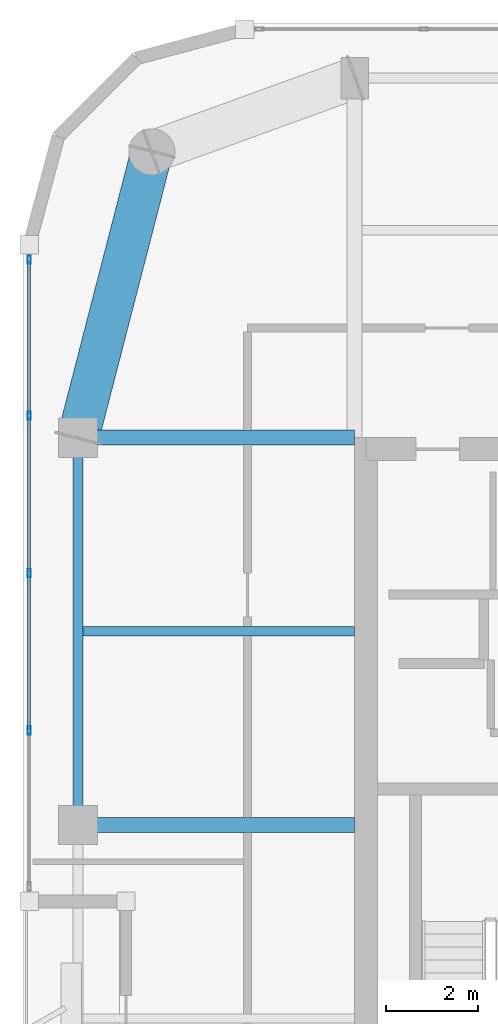
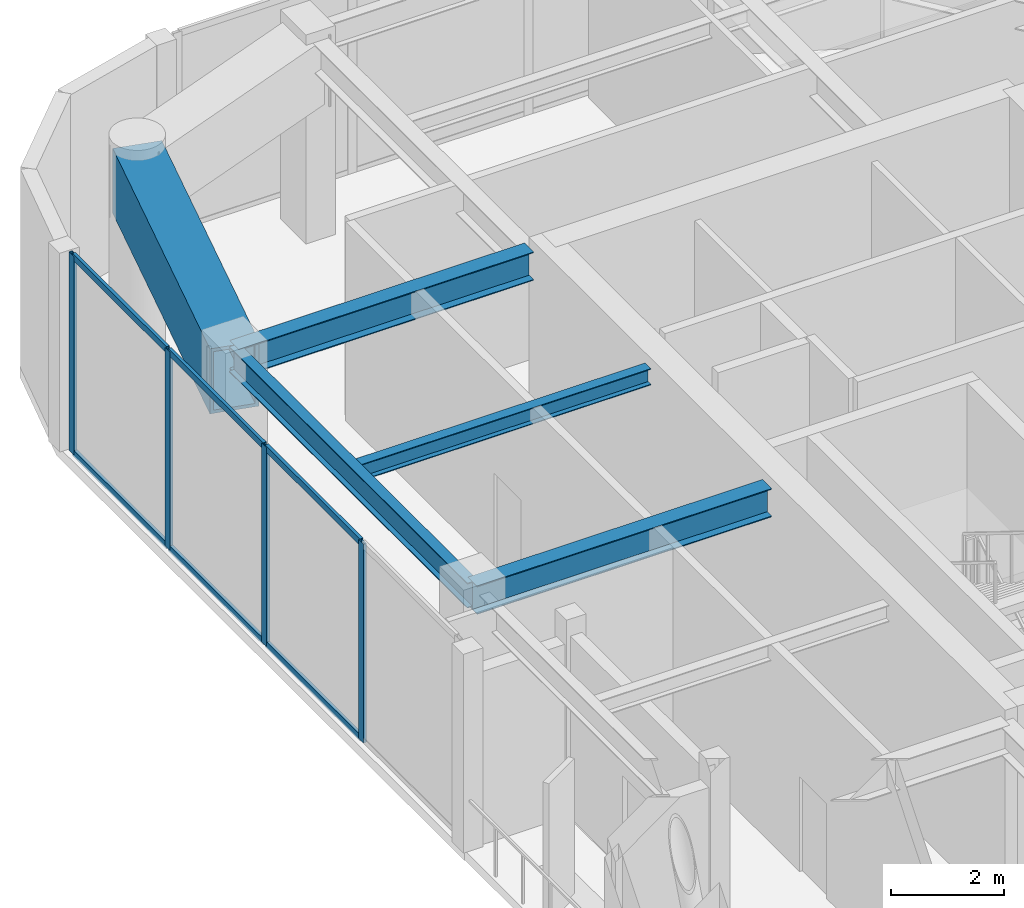
# One storey, part 4 of 16: 10 members, 5 beams, 1 element without a shape of its own.
"""IFC4 building model written with IfcOpenShell, lengths in metres."""

from ifc_helpers import new_model, si_unit, direction, frame, origin, origin_2d, place, context, subcontext, project, spatial, hollow_rectangle, i_section, extrude, material, layer, layer_set, material_profile, profile_set, type_object, element, aggregate, save


model = new_model("IFC4")

# Units and contexts
model_context = context("Model", 3, precision=1e-05, world=origin(), true_north=direction((0.0, 1.0)))
body_context = subcontext(model_context, "Body", "Model", "MODEL_VIEW")
ifc_project = project(units=[si_unit("LENGTHUNIT", "METRE"), si_unit("AREAUNIT", "SQUARE_METRE"), si_unit("VOLUMEUNIT", "CUBIC_METRE"), si_unit("PLANEANGLEUNIT", "RADIAN"), si_unit("MASSUNIT", "GRAM", prefix="KILO")], contexts=[model_context])

# Site, building, storey
site_placement = place(None, origin())
site = spatial("IfcSite", under=ifc_project, at=site_placement, CompositionType="ELEMENT")
building_placement = place(site_placement, origin())
building = spatial("IfcBuilding", under=site, at=building_placement, Name="Kiyonajd Concourse Tower", CompositionType="ELEMENT")
storey_placement = place(building_placement, frame((0.0, 0.0, 337.5)))
storey = spatial("IfcBuildingStorey", under=building, at=storey_placement, Name="L85", CompositionType="ELEMENT", Elevation=337.5)

# Beams
ifc_material_1 = material(Name="Steel ASTM A992 Grade 50", Category="steel")
ifc_material_profile_1 = material_profile(ifc_material_1, i_section(OverallWidth=0.205078125, OverallDepth=0.35400390625, WebThickness=0.009521484375, FlangeThickness=0.016845703125, at=origin_2d()), Name="W360X79")
ifc_profile_set_1 = profile_set([ifc_material_profile_1], Name="Steel ASTM A992 Grade 50")
beam_type_1 = type_object("IfcBeamType", Name="BM-JST-360", PredefinedType="JOIST", material=ifc_profile_set_1)
beam_1_placement = place(storey_placement, frame((26.505615234375, 40.199951171875, 4.10302734375), z_axis=(1.0, 0.0, 0.0), x_axis=(0.0, 1.0, 0.0)))
element("IfcBeam", 1, at=beam_1_placement, inside=storey, type_object=beam_type_1, Name="L85 West Secondary Floor Joist", PredefinedType="JOIST", context=body_context, shape_type="SweptSolid", body=[
    extrude(i_section(OverallWidth=0.205078125, OverallDepth=0.35400390625, WebThickness=0.009521484375, FlangeThickness=0.016845703125, at=origin_2d()), origin(), (0.0, 0.0, 1.0), 5.894287109375),
])
ifc_material_profile_2 = material_profile(ifc_material_1, i_section(OverallWidth=0.2109375, OverallDepth=0.5390625, WebThickness=0.01171875, FlangeThickness=0.018798828125, at=origin_2d()), Name="W530X109")
ifc_profile_set_2 = profile_set([ifc_material_profile_2], Name="Steel ASTM A992 Grade 50")
beam_type_2 = type_object("IfcBeamType", Name="BM-SPAN-530B", PredefinedType="SPANDREL", material=ifc_profile_set_2)
beam_2_placement = place(storey_placement, frame((26.39990234375, 44.39990234375, 4.010498046875), z_axis=(0.0, -1.0, 0.0), x_axis=(1.0, 0.0, 0.0)))
element("IfcBeam", 2, at=beam_2_placement, inside=storey, type_object=beam_type_2, Name="L85 Perimeter Bundled Tube Spandrel", PredefinedType="SPANDREL", context=body_context, shape_type="SweptSolid", body=[
    extrude(i_section(OverallWidth=0.2109375, OverallDepth=0.5390625, WebThickness=0.01171875, FlangeThickness=0.018798828125, at=origin_2d()), origin(), (0.0, 0.0, 1.0), 8.39990234375),
])
ifc_material_profile_3 = material_profile(ifc_material_1, i_section(OverallWidth=0.323974609375, OverallDepth=0.611083984375, WebThickness=0.0126953125, FlangeThickness=0.01904296875, at=origin_2d()), Name="W610X155")
ifc_profile_set_3 = profile_set([ifc_material_profile_3], Name="Steel ASTM A992 Grade 50")
beam_type_3 = type_object("IfcBeamType", Name="BM-TWR-610B", PredefinedType="BEAM", material=ifc_profile_set_3)
for number, where, z_axis, x_axis, name in (
    (3, (26.39990234375, 36.0, 3.974609375), (1.0, 0.0, 0.0), (0.0, 1.0, 0.0), "L85 West Lease Girder"),
    (4, (26.39990234375, 44.39990234375, 3.974609375), (1.0, 0.0, 0.0), (0.0, 1.0, 0.0), "L85 West Lease Girder"),
):
    element("IfcBeam", number, at=place(storey_placement, frame(where, z_axis=z_axis, x_axis=x_axis)), inside=storey, type_object=beam_type_3, Name=name, PredefinedType="BEAM", context=body_context, shape_type="SweptSolid", body=[
        extrude(i_section(OverallWidth=0.323974609375, OverallDepth=0.611083984375, WebThickness=0.0126953125, FlangeThickness=0.01904296875, at=origin_2d()), origin(), (0.0, 0.0, 1.0), 6.0),
    ])
ifc_material_2 = material(Name="Steel ASTM A572 Grade 50", Category="steel")
ifc_material_profile_4 = material_profile(ifc_material_2, hollow_rectangle(XDim=0.89990234375, YDim=1.39990234375, WallThickness=0.070068359375, at=origin_2d()), Name="BOX-1400x900x70")
ifc_profile_set_4 = profile_set([ifc_material_profile_4], Name="Steel ASTM A572 Grade 50")
beam_type_4 = type_object("IfcBeamType", Name="BM-XFER-1400", PredefinedType="BEAM", material=ifc_profile_set_4)
beam_3_placement = place(storey_placement, frame((28.0, 50.60009765625, 3.580078125), z_axis=(-0.249884937687, -0.968275538221, 0.0), x_axis=(0.968275538221, -0.249884937687, 0.0)))
element("IfcBeam", 5, at=beam_3_placement, inside=storey, type_object=beam_type_4, Name="L85 Perimeter Bundled Tube Spandrel", PredefinedType="BEAM", context=body_context, shape_type="SweptSolid", body=[
    extrude(hollow_rectangle(XDim=0.89990234375, YDim=1.39990234375, WallThickness=0.070068359375, at=origin_2d()), origin(), (0.0, 0.0, 1.0), 6.4033203125),
])

# Curtain wall, members
ifc_material_3 = material(Name="Thermally Broken Anodised Aluminium", Category="aluminium")
ifc_layer = layer(ifc_material_3, 0.179931640625)
ifc_layer_set = layer_set([ifc_layer], Name="Thermally Broken Anodised Aluminium")
curtain_wall_type = type_object("IfcCurtainWallType", Name="CW-SYS-04", PredefinedType="NOTDEFINED", material=ifc_layer_set)
curtain_wall_placement = place(storey_placement, origin())
curtain_wall = element("IfcCurtainWall", 6, at=curtain_wall_placement, inside=storey, type_object=curtain_wall_type, Name="L85 Unitised Curtain Wall CW4", PredefinedType="NOTDEFINED")
ifc_material_profile_5 = material_profile(ifc_material_3, hollow_rectangle(XDim=0.06494140625, YDim=0.179931640625, WallThickness=0.00390625, at=origin_2d()), Name="MULL-65x180")
ifc_profile_set_5 = profile_set([ifc_material_profile_5], Name="Thermally Broken Anodised Aluminium")
member_type_1 = type_object("IfcMemberType", Name="MB-CW-MULL1", PredefinedType="MULLION", material=ifc_profile_set_5)
member_1_placement = place(storey_placement, frame((25.340087890625, 38.04541015625, 0.0), z_axis=(0.0, 0.0, 1.0), x_axis=(-1.0, 0.0, 0.0)))
member_1 = element("IfcMember", 7, at=member_1_placement, type_object=member_type_1, Name="CW4 mullion 2", PredefinedType="MULLION", context=body_context, shape_type="SweptSolid", body=[
    extrude(hollow_rectangle(XDim=0.06494140625, YDim=0.179931640625, WallThickness=0.00390625, at=origin_2d()), origin(), (0.0, 0.0, 1.0), 4.280029296875),
])
member_2_placement = place(storey_placement, frame((25.340087890625, 41.460693359375, 0.0), z_axis=(0.0, 0.0, 1.0), x_axis=(-1.0, 0.0, 0.0)))
member_2 = element("IfcMember", 8, at=member_2_placement, type_object=member_type_1, Name="CW4 mullion 3", PredefinedType="MULLION", context=body_context, shape_type="SweptSolid", body=[
    extrude(hollow_rectangle(XDim=0.06494140625, YDim=0.179931640625, WallThickness=0.00390625, at=origin_2d()), origin(), (0.0, 0.0, 1.0), 4.280029296875),
])
member_3_placement = place(storey_placement, frame((25.340087890625, 44.876220703125, 0.0), z_axis=(0.0, 0.0, 1.0), x_axis=(-1.0, 0.0, 0.0)))
member_3 = element("IfcMember", 9, at=member_3_placement, type_object=member_type_1, Name="CW4 mullion 4", PredefinedType="MULLION", context=body_context, shape_type="SweptSolid", body=[
    extrude(hollow_rectangle(XDim=0.06494140625, YDim=0.179931640625, WallThickness=0.00390625, at=origin_2d()), origin(), (0.0, 0.0, 1.0), 4.280029296875),
])
member_4_placement = place(storey_placement, frame((25.340087890625, 48.259033203125, 0.0), z_axis=(0.0, 0.0, 1.0), x_axis=(-1.0, 0.0, 0.0)))
member_4 = element("IfcMember", 10, at=member_4_placement, type_object=member_type_1, Name="CW4 mullion 5", PredefinedType="MULLION", context=body_context, shape_type="SweptSolid", body=[
    extrude(hollow_rectangle(XDim=0.06494140625, YDim=0.179931640625, WallThickness=0.00390625, at=origin_2d()), origin(), (0.0, 0.0, 1.0), 4.280029296875),
])
ifc_material_profile_6 = material_profile(ifc_material_3, hollow_rectangle(XDim=0.06494140625, YDim=0.139892578125, WallThickness=0.00390625, at=origin_2d()), Name="TRAN-65x140")
ifc_profile_set_6 = profile_set([ifc_material_profile_6], Name="Thermally Broken Anodised Aluminium")
member_type_2 = type_object("IfcMemberType", Name="MB-CW-TRAN1", PredefinedType="USERDEFINED", material=ifc_profile_set_6)
member_5_placement = place(storey_placement, frame((25.340087890625, 38.077880859375, 0.032470703125), z_axis=(0.0, 1.0, 0.0), x_axis=(-1.0, 0.0, 0.0)))
member_5 = element("IfcMember", 11, at=member_5_placement, type_object=member_type_2, Name="CW4 transom 2.1", ObjectType="TRANSOM", PredefinedType="USERDEFINED", context=body_context, shape_type="SweptSolid", body=[
    extrude(hollow_rectangle(XDim=0.06494140625, YDim=0.139892578125, WallThickness=0.00390625, at=origin_2d()), origin(), (0.0, 0.0, 1.0), 3.350341796875),
])
member_6_placement = place(storey_placement, frame((25.340087890625, 38.077880859375, 4.24755859375), z_axis=(0.0, 1.0, 0.0), x_axis=(-1.0, 0.0, 0.0)))
member_6 = element("IfcMember", 12, at=member_6_placement, type_object=member_type_2, Name="CW4 transom 2.2", ObjectType="TRANSOM", PredefinedType="USERDEFINED", context=body_context, shape_type="SweptSolid", body=[
    extrude(hollow_rectangle(XDim=0.06494140625, YDim=0.139892578125, WallThickness=0.00390625, at=origin_2d()), origin(), (0.0, 0.0, 1.0), 3.350341796875),
])
member_7_placement = place(storey_placement, frame((25.340087890625, 41.493408203125, 0.032470703125), z_axis=(0.0, 1.0, 0.0), x_axis=(-1.0, 0.0, 0.0)))
member_7 = element("IfcMember", 13, at=member_7_placement, type_object=member_type_2, Name="CW4 transom 3.1", ObjectType="TRANSOM", PredefinedType="USERDEFINED", context=body_context, shape_type="SweptSolid", body=[
    extrude(hollow_rectangle(XDim=0.06494140625, YDim=0.139892578125, WallThickness=0.00390625, at=origin_2d()), origin(), (0.0, 0.0, 1.0), 3.350341796875),
])
member_8_placement = place(storey_placement, frame((25.340087890625, 41.493408203125, 4.24755859375), z_axis=(0.0, 1.0, 0.0), x_axis=(-1.0, 0.0, 0.0)))
member_8 = element("IfcMember", 14, at=member_8_placement, type_object=member_type_2, Name="CW4 transom 3.2", ObjectType="TRANSOM", PredefinedType="USERDEFINED", context=body_context, shape_type="SweptSolid", body=[
    extrude(hollow_rectangle(XDim=0.06494140625, YDim=0.139892578125, WallThickness=0.00390625, at=origin_2d()), origin(), (0.0, 0.0, 1.0), 3.350341796875),
])
member_9_placement = place(storey_placement, frame((25.340087890625, 44.90869140625, 0.032470703125), z_axis=(0.0, 1.0, 0.0), x_axis=(-1.0, 0.0, 0.0)))
member_9 = element("IfcMember", 15, at=member_9_placement, type_object=member_type_2, Name="CW4 transom 4.1", ObjectType="TRANSOM", PredefinedType="USERDEFINED", context=body_context, shape_type="SweptSolid", body=[
    extrude(hollow_rectangle(XDim=0.06494140625, YDim=0.139892578125, WallThickness=0.00390625, at=origin_2d()), origin(), (0.0, 0.0, 1.0), 3.31787109375),
])
member_10_placement = place(storey_placement, frame((25.340087890625, 44.90869140625, 4.24755859375), z_axis=(0.0, 1.0, 0.0), x_axis=(-1.0, 0.0, 0.0)))
member_10 = element("IfcMember", 16, at=member_10_placement, type_object=member_type_2, Name="CW4 transom 4.2", ObjectType="TRANSOM", PredefinedType="USERDEFINED", context=body_context, shape_type="SweptSolid", body=[
    extrude(hollow_rectangle(XDim=0.06494140625, YDim=0.139892578125, WallThickness=0.00390625, at=origin_2d()), origin(), (0.0, 0.0, 1.0), 3.31787109375),
])
aggregate(curtain_wall, [member_1, member_2, member_3, member_4, member_5, member_6, member_7, member_8, member_9, member_10])

save(model, "model.ifc")
